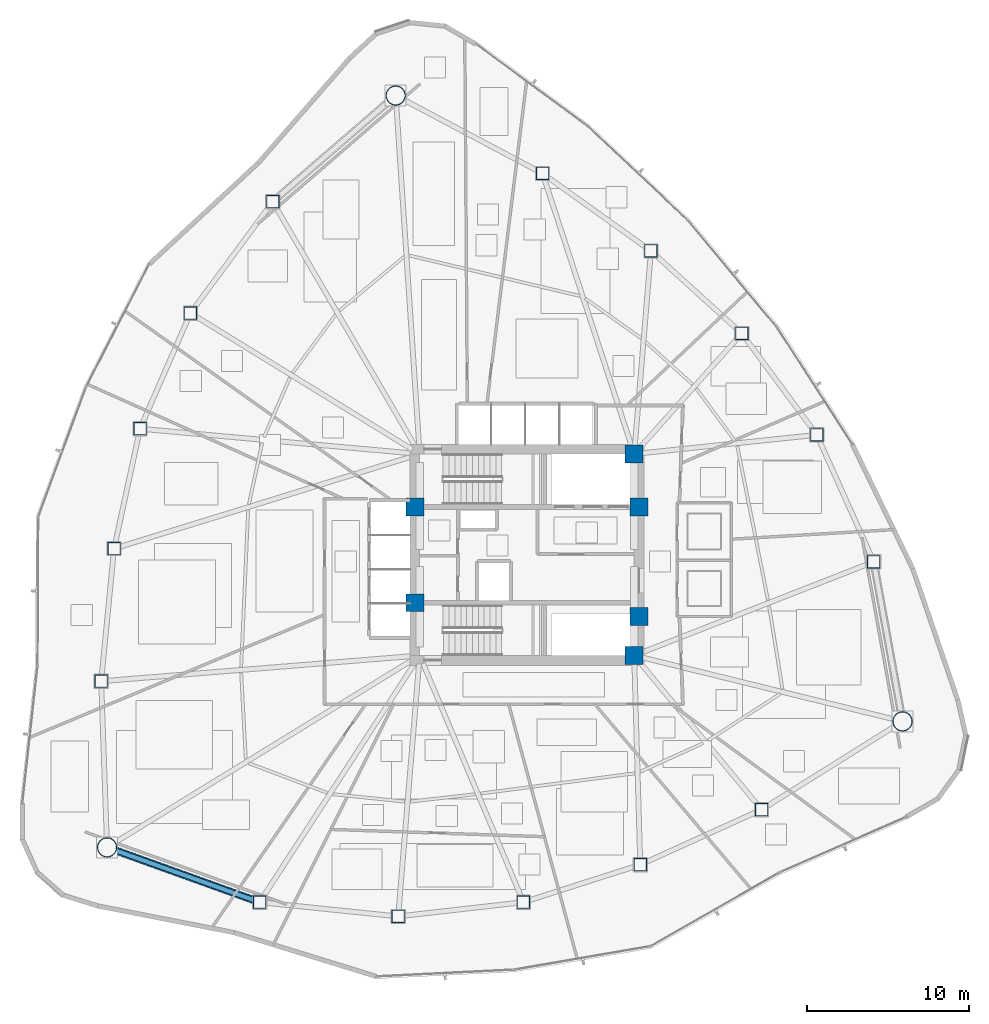
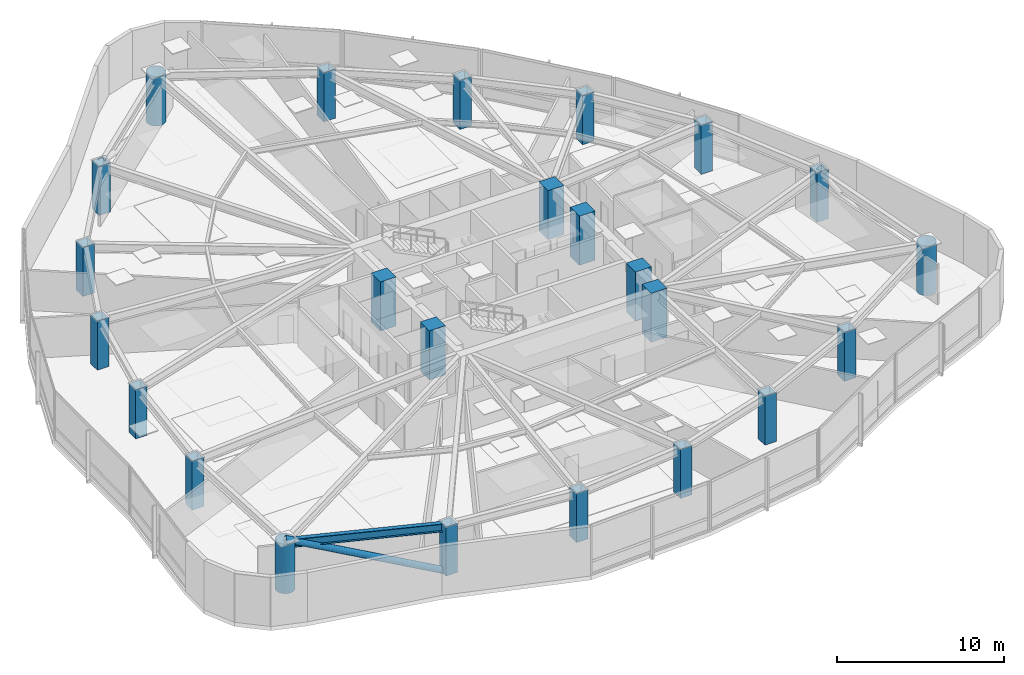
# One storey, part 1 of 18: 24 columns, 1 beam, 1 member.
"""IFC4 building model written with IfcOpenShell, lengths in metres."""

from ifc_helpers import new_model, si_unit, direction, frame, origin, origin_2d, place, context, subcontext, project, spatial, rectangle, hollow_rectangle, hollow_circle, i_section, extrude, material, material_profile, profile_set, type_object, element, save


model = new_model("IFC4")

# Units and contexts
model_context = context("Model", 3, precision=1e-05, world=origin(), true_north=direction((0.0, 1.0)))
body_context = subcontext(model_context, "Body", "Model", "MODEL_VIEW")
ifc_project = project(units=[si_unit("LENGTHUNIT", "METRE"), si_unit("AREAUNIT", "SQUARE_METRE"), si_unit("VOLUMEUNIT", "CUBIC_METRE"), si_unit("PLANEANGLEUNIT", "RADIAN"), si_unit("MASSUNIT", "GRAM", prefix="KILO")], contexts=[model_context])

# Site, building, storey
site_placement = place(None, origin())
site = spatial("IfcSite", under=ifc_project, at=site_placement, CompositionType="ELEMENT")
building_placement = place(site_placement, origin())
building = spatial("IfcBuilding", under=site, at=building_placement, Name="Tavelor Broadcast Tower", CompositionType="ELEMENT")
storey_placement = place(building_placement, frame((0.0, 0.0, 51.0)))
storey = spatial("IfcBuildingStorey", under=building, at=storey_placement, Name="L11", CompositionType="ELEMENT", Elevation=51.0)

# Columns
ifc_material_1 = material(Name="Concrete C60/75", Category="concrete")
ifc_material_profile_1 = material_profile(ifc_material_1, rectangle(XDim=1.10009765625, YDim=1.10009765625, at=origin_2d()), Name="RC 1100x1100")
ifc_profile_set_1 = profile_set([ifc_material_profile_1], Name="Concrete C60/75")
column_type_1 = type_object("IfcColumnType", Name="Core Embedded Composite Column RC1100", PredefinedType="COLUMN", material=ifc_profile_set_1)
for number, where, z_axis, x_axis, name in (
    (1, (43.10009765625, 47.949951171875, 0.0), (0.0, 0.0, 1.0), (1.0, 0.0, 0.0), "L11 Core Embedded Column 1"),
    (2, (56.89990234375, 47.949951171875, 0.0), (0.0, 0.0, 1.0), (1.0, 0.0, 0.0), "L11 Core Embedded Column 2"),
    (3, (56.60009765625, 51.199951171875, 0.0), (0.0, 0.0, 1.0), (1.0, 0.0, 0.0), "L11 Core Embedded Column 3"),
    (4, (43.10009765625, 42.050048828125, 0.0), (0.0, 0.0, 1.0), (1.0, 0.0, 0.0), "L11 Core Embedded Column 4"),
    (5, (56.89990234375, 41.199951171875, 0.0), (0.0, 0.0, 1.0), (1.0, 0.0, 0.0), "L11 Core Embedded Column 5"),
    (6, (56.60009765625, 38.800048828125, 0.0), (0.0, 0.0, 1.0), (1.0, 0.0, 0.0), "L11 Core Embedded Column 6"),
):
    element("IfcColumn", number, at=place(storey_placement, frame(where, z_axis=z_axis, x_axis=x_axis)), inside=storey, type_object=column_type_1, Name=name, PredefinedType="COLUMN", context=body_context, shape_type="SweptSolid", body=[
        extrude(rectangle(XDim=1.10009765625, YDim=1.10009765625, at=origin_2d()), origin(), (0.0, 0.0, 1.0), 3.60009765625),
    ])
ifc_material_2 = material(Name="Steel S460", Category="steel")
ifc_material_profile_2 = material_profile(ifc_material_2, hollow_rectangle(XDim=0.800048828125, YDim=0.800048828125, WallThickness=0.044921875, at=origin_2d()), Name="SHS 800x800x45")
ifc_profile_set_2 = profile_set([ifc_material_profile_2], Name="Steel S460")
column_type_2 = type_object("IfcColumnType", Name="Perimeter Tube Column T1 SHS 800x800x45", PredefinedType="COLUMN", material=ifc_profile_set_2)
for number, where, z_axis, x_axis, name in (
    (7, (34.356201171875, 66.727783203125, 0.0), (0.0, 0.0, 1.0), (1.0, 0.0, 0.0), "L11 Perimeter Framed-Tube Column 02"),
    (8, (29.292236328125, 59.87158203125, 0.0), (0.0, 0.0, 1.0), (1.0, 0.0, 0.0), "L11 Perimeter Framed-Tube Column 03"),
    (9, (26.189208984375, 52.75830078125, 0.0), (0.0, 0.0, 1.0), (1.0, 0.0, 0.0), "L11 Perimeter Framed-Tube Column 04"),
    (10, (24.58984375, 45.380615234375, 0.0), (0.0, 0.0, 1.0), (1.0, 0.0, 0.0), "L11 Perimeter Framed-Tube Column 05"),
    (11, (23.794677734375, 37.21630859375, 0.0), (0.0, 0.0, 1.0), (1.0, 0.0, 0.0), "L11 Perimeter Framed-Tube Column 06"),
    (12, (33.55078125, 23.615478515625, 0.0), (0.0, 0.0, 1.0), (1.0, 0.0, 0.0), "L11 Perimeter Framed-Tube Column 08"),
    (13, (42.0732421875, 22.740478515625, 0.0), (0.0, 0.0, 1.0), (1.0, 0.0, 0.0), "L11 Perimeter Framed-Tube Column 09"),
    (14, (49.78662109375, 23.617919921875, 0.0), (0.0, 0.0, 1.0), (1.0, 0.0, 0.0), "L11 Perimeter Framed-Tube Column 10"),
    (15, (56.975341796875, 25.92138671875, 0.0), (0.0, 0.0, 1.0), (1.0, 0.0, 0.0), "L11 Perimeter Framed-Tube Column 11"),
    (16, (64.443603515625, 29.31494140625, 0.0), (0.0, 0.0, 1.0), (1.0, 0.0, 0.0), "L11 Perimeter Framed-Tube Column 12"),
    (17, (71.343994140625, 44.564697265625, 0.0), (0.0, 0.0, 1.0), (1.0, 0.0, 0.0), "L11 Perimeter Framed-Tube Column 14"),
    (18, (67.8408203125, 52.382568359375, 0.0), (0.0, 0.0, 1.0), (1.0, 0.0, 0.0), "L11 Perimeter Framed-Tube Column 15"),
    (19, (63.22412109375, 58.623779296875, 0.0), (0.0, 0.0, 1.0), (1.0, 0.0, 0.0), "L11 Perimeter Framed-Tube Column 16"),
    (20, (57.634765625, 63.69775390625, 0.0), (0.0, 0.0, 1.0), (1.0, 0.0, 0.0), "L11 Perimeter Framed-Tube Column 17"),
    (21, (50.9619140625, 68.468505859375, 0.0), (0.0, 0.0, 1.0), (1.0, 0.0, 0.0), "L11 Perimeter Framed-Tube Column 18"),
):
    element("IfcColumn", number, at=place(storey_placement, frame(where, z_axis=z_axis, x_axis=x_axis)), inside=storey, type_object=column_type_2, Name=name, PredefinedType="COLUMN", context=body_context, shape_type="SweptSolid", body=[
        extrude(hollow_rectangle(XDim=0.800048828125, YDim=0.800048828125, WallThickness=0.044921875, at=origin_2d()), origin(), (0.0, 0.0, 1.0), 3.60009765625),
    ])
ifc_material_profile_3 = material_profile(ifc_material_2, hollow_circle(Radius=0.609619140625, WallThickness=0.050048828125, at=origin_2d()), Name="CHS 1219x50")
ifc_profile_set_3 = profile_set([ifc_material_profile_3], Name="Steel S460")
column_type_3 = type_object("IfcColumnType", Name="Tower Mega Column T1 CHS 1219x50", PredefinedType="COLUMN", material=ifc_profile_set_3)
for number, where, z_axis, x_axis, name in (
    (22, (41.923095703125, 73.266357421875, 0.0), (0.0, 0.0, 1.0), (1.0, 0.0, 0.0), "L11 Tower Corner Mega Column 01"),
    (23, (24.1591796875, 26.98974609375, 0.0), (0.0, 0.0, 1.0), (1.0, 0.0, 0.0), "L11 Tower Corner Mega Column 07"),
    (24, (73.117919921875, 34.743896484375, 0.0), (0.0, 0.0, 1.0), (1.0, 0.0, 0.0), "L11 Tower Corner Mega Column 13"),
):
    element("IfcColumn", number, at=place(storey_placement, frame(where, z_axis=z_axis, x_axis=x_axis)), inside=storey, type_object=column_type_3, Name=name, PredefinedType="COLUMN", context=body_context, shape_type="SweptSolid", body=[
        extrude(hollow_circle(Radius=0.609619140625, WallThickness=0.050048828125, at=origin_2d()), origin(), (0.0, 0.0, 1.0), 3.60009765625),
    ])

# Beam
ifc_material_3 = material(Name="Steel S355", Category="steel")
ifc_material_profile_4 = material_profile(ifc_material_3, i_section(OverallWidth=0.300048828125, OverallDepth=0.60009765625, WebThickness=0.015380859375, FlangeThickness=0.030029296875, at=origin_2d()), Name="HEB 600")
ifc_profile_set_4 = profile_set([ifc_material_profile_4], Name="Steel S355")
beam_type = type_object("IfcBeamType", Name="Perimeter Spandrel Beam T1 HEB 600", PredefinedType="SPANDREL", material=ifc_profile_set_4)
beam_placement = place(storey_placement, frame((24.709716796875, 26.7919921875, 3.300048828125), z_axis=(0.941102066303, -0.338122612081, 0.0), x_axis=(0.338122612081, 0.941102066303, 0.0)))
element("IfcBeam", 25, at=beam_placement, inside=storey, type_object=beam_type, Name="L11 Framed-Tube Ring Spandrel 07", PredefinedType="SPANDREL", context=body_context, shape_type="SweptSolid", body=[
    extrude(i_section(OverallWidth=0.300048828125, OverallDepth=0.60009765625, WebThickness=0.015380859375, FlangeThickness=0.030029296875, at=origin_2d()), origin(), (0.0, 0.0, 1.0), 9.010498046875),
])

# Member
ifc_material_profile_5 = material_profile(ifc_material_3, hollow_circle(Radius=0.228515625, WallThickness=0.02001953125, at=origin_2d()), Name="CHS 457x20")
ifc_profile_set_5 = profile_set([ifc_material_profile_5], Name="Steel S355")
member_type = type_object("IfcMemberType", Name="Perimeter Tube Brace T1 CHS 457x20", PredefinedType="BRACE", material=ifc_profile_set_5)
member_placement = place(storey_placement, frame((33.55078125, 23.615478515625, 0.0), z_axis=(-0.885257630536, 0.318060354363, 0.339347224183), x_axis=(-0.338124247145, -0.941101478849, 0.0)))
element("IfcMember", 26, at=member_placement, inside=storey, type_object=member_type, Name="L11 Corner Tube Diagonal Brace 2", PredefinedType="BRACE", context=body_context, shape_type="SweptSolid", body=[
    extrude(hollow_circle(Radius=0.228515625, WallThickness=0.02001953125, at=origin_2d()), origin(), (0.0, 0.0, 1.0), 10.60888671875),
])

save(model, "model.ifc")
